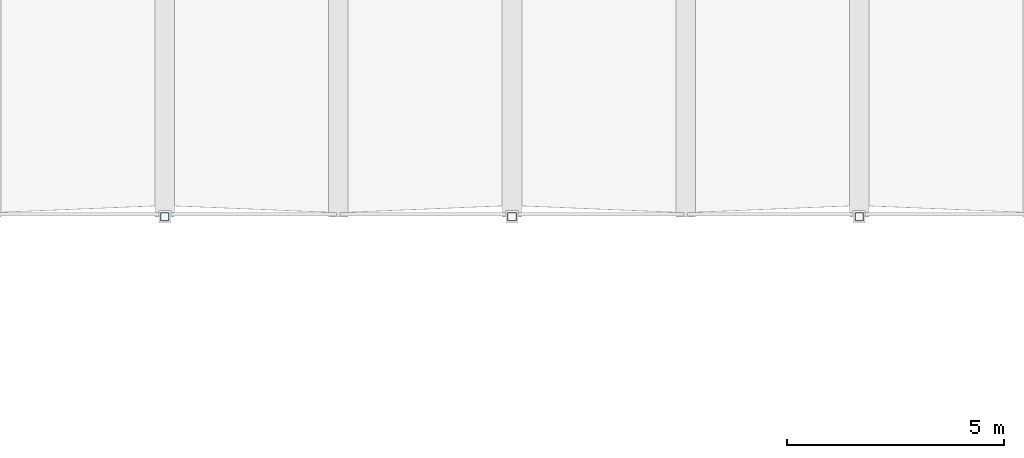
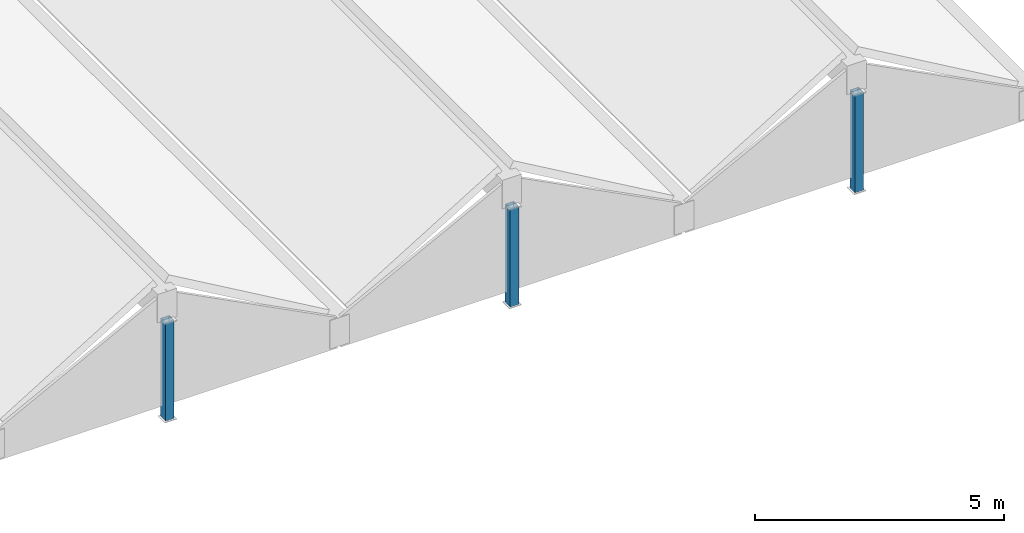
# One storey, part 15 of 35: 3 members.
"""IFC4 building model written with IfcOpenShell, lengths in metres."""

from ifc_helpers import new_model, si_unit, direction, frame, origin, origin_2d, place, context, subcontext, project, spatial, hollow_rectangle, extrude, material, material_profile, profile_set, type_object, element, save


model = new_model("IFC4")

# Units and contexts
model_context = context("Model", 3, precision=1e-05, world=origin(), true_north=direction((0.0, 1.0)))
body_context = subcontext(model_context, "Body", "Model", "MODEL_VIEW")
ifc_project = project(units=[si_unit("LENGTHUNIT", "METRE"), si_unit("AREAUNIT", "SQUARE_METRE"), si_unit("VOLUMEUNIT", "CUBIC_METRE"), si_unit("PLANEANGLEUNIT", "RADIAN"), si_unit("MASSUNIT", "GRAM", prefix="KILO")], contexts=[model_context])

# Site, building, storey
site_placement = place(None, origin())
site = spatial("IfcSite", under=ifc_project, at=site_placement, CompositionType="ELEMENT")
building_placement = place(site_placement, origin())
building = spatial("IfcBuilding", under=site, at=building_placement, Name="Valkorina Park Police Headquarters", CompositionType="ELEMENT")
storey_placement = place(building_placement, frame((0.0, 0.0, 27.199951171875)))
storey = spatial("IfcBuildingStorey", under=building, at=storey_placement, Name="L07", CompositionType="ELEMENT", Elevation=27.199951171875)

# Members
ifc_material = material(Name="Steel S355", Category="steel")
ifc_material_profile = material_profile(ifc_material, hollow_rectangle(XDim=0.199951171875, YDim=0.199951171875, WallThickness=0.012451171875, at=origin_2d()), Name="SHS 200x200x12.5")
ifc_profile_set = profile_set([ifc_material_profile], Name="Steel S355")
member_type = type_object("IfcMemberType", Name="MB-S355-SHS200-GABLE", PredefinedType="BRACE", material=ifc_profile_set)
for number, where, z_axis, x_axis, name in (
    (1, (108.800048828125, 59.199951171875, -0.349853515625), (0.0, 0.0, 1.0), (1.0, 0.0, 0.0), "V2 Gable Ridge Strut 4S"),
    (2, (116.800048828125, 59.199951171875, -0.349853515625), (0.0, 0.0, 1.0), (1.0, 0.0, 0.0), "V2 Gable Ridge Strut 5S"),
    (3, (124.800048828125, 59.199951171875, -0.349853515625), (0.0, 0.0, 1.0), (1.0, 0.0, 0.0), "V2 Gable Ridge Strut 6S"),
):
    element("IfcMember", number, at=place(storey_placement, frame(where, z_axis=z_axis, x_axis=x_axis)), inside=storey, type_object=member_type, Name=name, PredefinedType="BRACE", context=body_context, shape_type="SweptSolid", body=[
        extrude(hollow_rectangle(XDim=0.199951171875, YDim=0.199951171875, WallThickness=0.012451171875, at=origin_2d()), origin(), (0.0, 0.0, 1.0), 2.413818359375),
    ])

save(model, "model.ifc")
